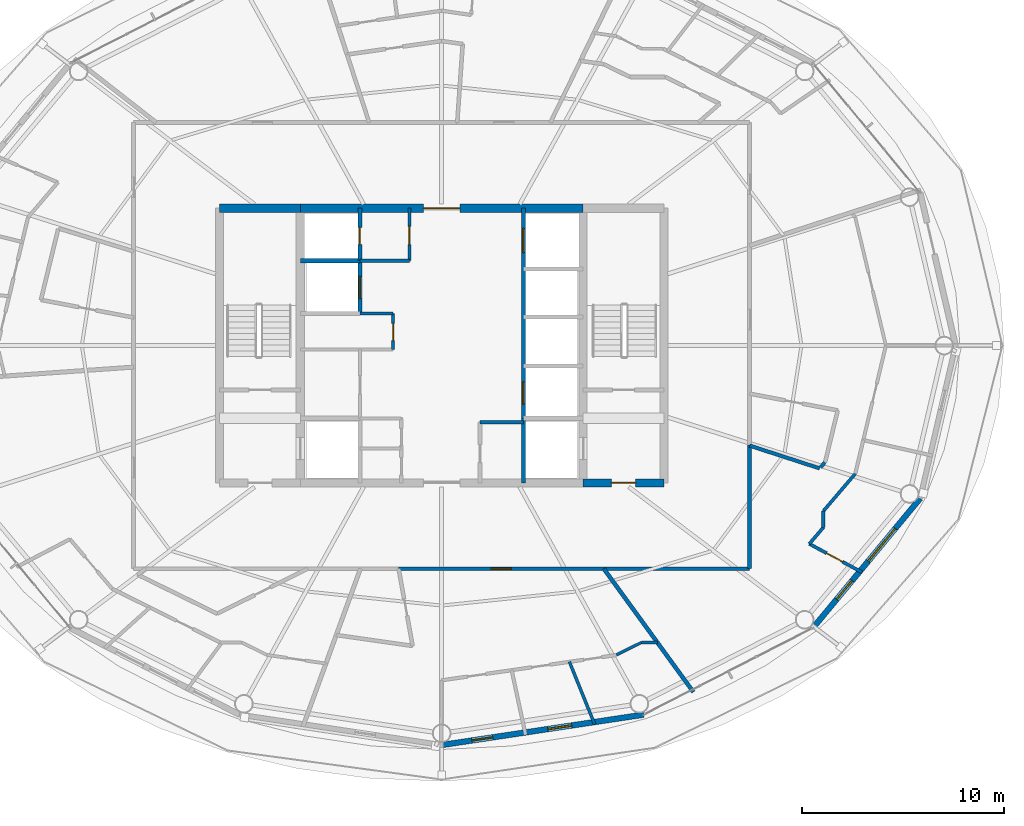
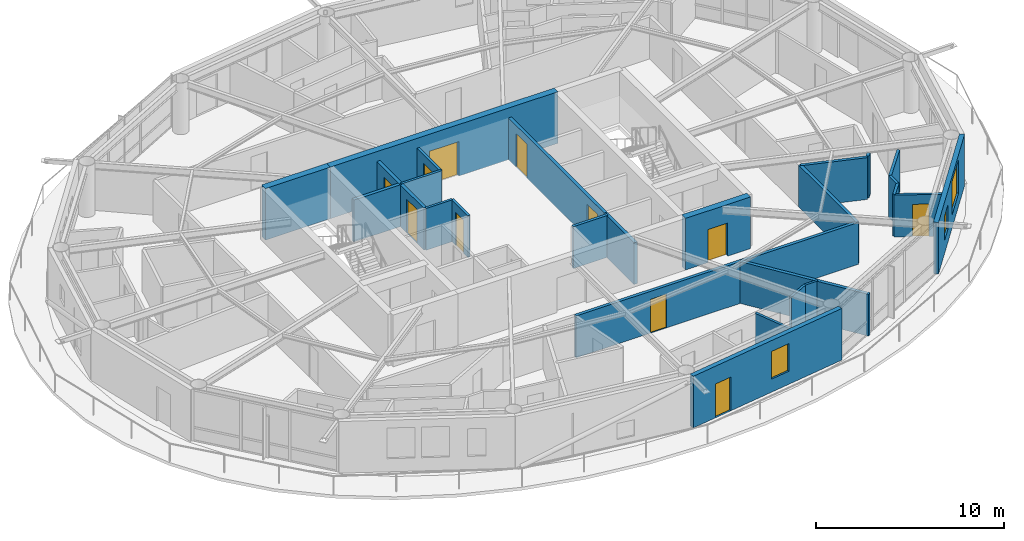
# One storey, part 17 of 23: 27 walls, 11 doors, 3 windows, 14 openings.
"""IFC4 building model written with IfcOpenShell, lengths in metres."""

from ifc_helpers import new_model, si_unit, direction, frame, frame_2d, origin, place, context, subcontext, project, spatial, rectangle, extrude, material, layer, layer_set, type_object, element, fill, save


model = new_model("IFC4")

# Units and contexts
model_context = context("Model", 3, precision=1e-05, world=origin(), true_north=direction((0.0, 1.0)))
body_context = subcontext(model_context, "Body", "Model", "MODEL_VIEW")
ifc_project = project(units=[si_unit("LENGTHUNIT", "METRE"), si_unit("AREAUNIT", "SQUARE_METRE"), si_unit("VOLUMEUNIT", "CUBIC_METRE"), si_unit("PLANEANGLEUNIT", "RADIAN"), si_unit("MASSUNIT", "GRAM", prefix="KILO")], contexts=[model_context])

# Site, building, storey
site_placement = place(None, origin())
site = spatial("IfcSite", under=ifc_project, at=site_placement, CompositionType="ELEMENT")
building_placement = place(site_placement, origin())
building = spatial("IfcBuilding", under=site, at=building_placement, Name="Sarneth Arch Tower", CompositionType="ELEMENT")
storey_placement = place(building_placement, frame((0.0, 0.0, 220.800048828125)))
storey = spatial("IfcBuildingStorey", under=building, at=storey_placement, Name="L56", CompositionType="ELEMENT", Elevation=220.800048828125)

# Wall, opening, door
ifc_material_1 = material(Name="Concrete C50/60", Category="concrete")
ifc_layer_1 = layer(ifc_material_1, 0.39990234375)
ifc_layer_set_1 = layer_set([ifc_layer_1], Name="Concrete C50/60")
wall_type_1 = type_object("IfcWallType", Name="WALL-CORE-400", PredefinedType="SHEAR", material=ifc_layer_set_1)
wall_1_placement = place(storey_placement, frame((55.0, 35.199951171875, 0.0), z_axis=(0.0, 0.0, 1.0), x_axis=(1.0, 0.0, 0.0)))
wall_1 = element("IfcWall", 1, at=wall_1_placement, inside=storey, type_object=wall_type_1, Name="L56 Core shear wall S-E", PredefinedType="SHEAR", context=body_context, shape_type="SweptSolid", body=[
    extrude(rectangle(XDim=4.0, YDim=0.39990234375, at=frame_2d((2.0, 0.0))), origin(), (0.0, 0.0, 1.0), 3.35986328125),
])
opening_1_placement = place(wall_1_placement, frame((1.39990234375, 0.0, 0.0)))
opening_1 = element("IfcOpeningElement", 2, at=opening_1_placement, cuts=wall_1, Name="Opening FD-02", PredefinedType="OPENING", context=body_context, shape_type="SweptSolid", body=[
    extrude(rectangle(XDim=1.199951171875, YDim=2.14990234375, at=frame_2d((0.60009765625, 1.074951171875))), frame((0.0, 0.2099609375, 0.0), z_axis=(0.0, -1.0, 0.0), x_axis=(1.0, 0.0, 0.0)), (0.0, 0.0, 1.0), 0.419921875),
])
ifc_material_2 = material(Name="Galvanised Steel S275 fire door set", Category="steel")
door_type_1 = type_object("IfcDoorType", Name="DR-FD90-1200", OperationType="SINGLE_SWING_LEFT", PredefinedType="DOOR", material=ifc_material_2)
door_1_placement = place(opening_1_placement, origin())
door_1 = element("IfcDoor", 3, at=door_1_placement, inside=storey, type_object=door_type_1, Name="L56 Firefighting lobby 2 exit door", OperationType="SINGLE_SWING_RIGHT", OverallHeight=2.14990234375, OverallWidth=1.199951171875, PredefinedType="DOOR", context=body_context, shape_type="SweptSolid", body=[
    extrude(rectangle(XDim=1.199951171875, YDim=2.14990234375, at=frame_2d((0.60009765625, 1.074951171875))), frame((0.0, 0.02490234375, 0.0), z_axis=(0.0, -1.0, 0.0), x_axis=(1.0, 0.0, 0.0)), (0.0, 0.0, 1.0), 0.050048828125),
])
fill(opening_1, door_1)

# Wall
wall_2_placement = place(storey_placement, frame((37.0, 48.800048828125, 0.0), z_axis=(0.0, 0.0, 1.0), x_axis=(1.0, 0.0, 0.0)))
element("IfcWall", 4, at=wall_2_placement, inside=storey, type_object=wall_type_1, Name="L56 Core shear wall N-W", PredefinedType="SHEAR", context=body_context, shape_type="SweptSolid", body=[
    extrude(rectangle(XDim=4.0, YDim=0.39990234375, at=frame_2d((2.0, 0.0))), origin(), (0.0, 0.0, 1.0), 3.35986328125),
])

# Wall, opening, door
wall_3_placement = place(storey_placement, frame((41.0, 48.800048828125, 0.0), z_axis=(0.0, 0.0, 1.0), x_axis=(1.0, 0.0, 0.0)))
wall_3 = element("IfcWall", 5, at=wall_3_placement, inside=storey, type_object=wall_type_1, Name="L56 Core shear wall N-M", PredefinedType="SHEAR", context=body_context, shape_type="SweptSolid", body=[
    extrude(rectangle(XDim=14.0, YDim=0.39990234375, at=frame_2d((7.0, 0.0))), origin(), (0.0, 0.0, 1.0), 3.35986328125),
])
opening_2_placement = place(wall_3_placement, frame((6.10009765625, 0.0, 0.0)))
opening_2 = element("IfcOpeningElement", 6, at=opening_2_placement, cuts=wall_3, Name="Opening FD-01", PredefinedType="OPENING", context=body_context, shape_type="SweptSolid", body=[
    extrude(rectangle(XDim=1.800048828125, YDim=2.25, at=frame_2d((0.89990234375, 1.125))), frame((0.0, 0.2099609375, 0.0), z_axis=(0.0, -1.0, 0.0), x_axis=(1.0, 0.0, 0.0)), (0.0, 0.0, 1.0), 0.419921875),
])
ifc_material_3 = material(Name="Galvanised Steel S275 fire door set", Category="steel")
door_type_2 = type_object("IfcDoorType", Name="DR-FD90-1800", OperationType="DOUBLE_DOOR_SINGLE_SWING", PredefinedType="DOOR", material=ifc_material_3)
door_2_placement = place(opening_2_placement, origin())
door_2 = element("IfcDoor", 7, at=door_2_placement, inside=storey, type_object=door_type_2, Name="L56 Central lift lobby north door", OperationType="DOUBLE_DOOR_SINGLE_SWING", OverallHeight=2.25, OverallWidth=1.800048828125, PredefinedType="DOOR", context=body_context, shape_type="SweptSolid", body=[
    extrude(rectangle(XDim=1.800048828125, YDim=2.25, at=frame_2d((0.89990234375, 1.125))), frame((0.0, 0.02490234375, 0.0), z_axis=(0.0, -1.0, 0.0), x_axis=(1.0, 0.0, 0.0)), (0.0, 0.0, 1.0), 0.050048828125),
])
fill(opening_2, door_2)

ifc_material_4 = material(Name="Double steel-stud corridor fire wall", Category="steel")
ifc_layer_2 = layer(ifc_material_4, 0.18994140625)
ifc_layer_set_2 = layer_set([ifc_layer_2], Name="Double steel-stud corridor fire wall")
wall_type_2 = type_object("IfcWallType", Name="WALL-CORR-190", PredefinedType="PARTITIONING", material=ifc_layer_set_2)
wall_4_placement = place(storey_placement, frame((45.870361328125, 30.949951171875, 0.0), z_axis=(0.0, 0.0, 1.0), x_axis=(1.0, 0.0, 0.0)))
wall_4 = element("IfcWall", 8, at=wall_4_placement, inside=storey, type_object=wall_type_2, Name="L56 Interior partition W-L56-TP-015", PredefinedType="PARTITIONING", context=body_context, shape_type="SweptSolid", body=[
    extrude(rectangle(XDim=17.379638671875, YDim=0.18994140625, at=frame_2d((8.68994140625, 0.0))), origin(), (0.0, 0.0, 1.0), 2.719970703125),
])
opening_3_placement = place(wall_4_placement, frame((4.5791015625, 0.0, 0.0)))
opening_3 = element("IfcOpeningElement", 9, at=opening_3_placement, cuts=wall_4, Name="Opening FD-08", PredefinedType="OPENING", context=body_context, shape_type="SweptSolid", body=[
    extrude(rectangle(XDim=1.0, YDim=2.199951171875, at=frame_2d((0.5, 1.10009765625))), frame((0.0, 0.10498046875, 0.0), z_axis=(0.0, -1.0, 0.0), x_axis=(1.0, 0.0, 0.0)), (0.0, 0.0, 1.0), 0.2099609375),
])
ifc_material_5 = material(Name="Hardwood timber acoustic fire door", Category="wood")
door_type_3 = type_object("IfcDoorType", Name="DR-FD60-1000", OperationType="SINGLE_SWING_LEFT", PredefinedType="DOOR", material=ifc_material_5)
door_3_placement = place(opening_3_placement, origin())
door_3 = element("IfcDoor", 10, at=door_3_placement, inside=storey, type_object=door_type_3, Name="L56 Interior door DR-L56-U6-ENT", OperationType="SINGLE_SWING_LEFT", OverallHeight=2.199951171875, OverallWidth=1.0, PredefinedType="DOOR", context=body_context, shape_type="SweptSolid", body=[
    extrude(rectangle(XDim=1.0, YDim=2.199951171875, at=frame_2d((0.5, 1.10009765625))), frame((0.0, 0.02490234375, 0.0), z_axis=(0.0, -1.0, 0.0), x_axis=(1.0, 0.0, 0.0)), (0.0, 0.0, 1.0), 0.050048828125),
])
fill(opening_3, door_3)

# Wall
wall_5_placement = place(storey_placement, frame((63.25, 37.07861328125, 0.0), z_axis=(0.0, 0.0, 1.0), x_axis=(0.0, -1.0, 0.0)))
element("IfcWall", 11, at=wall_5_placement, inside=storey, type_object=wall_type_2, Name="L56 Interior partition W-L56-TP-017", PredefinedType="PARTITIONING", context=body_context, shape_type="SweptSolid", body=[
    extrude(rectangle(XDim=6.128662109375, YDim=0.18994140625, at=frame_2d((3.064453125, 0.0))), origin(), (0.0, 0.0, 1.0), 2.719970703125),
])

# Wall, openings, door, window
ifc_material_6 = material(Name="Extruded terracotta rainscreen on Concrete C40/50 backing", Category="masonry")
ifc_layer_3 = layer(ifc_material_6, 0.280029296875)
ifc_layer_set_3 = layer_set([ifc_layer_3], Name="Extruded terracotta rainscreen on Concrete C40/50 backing")
wall_type_3 = type_object("IfcWallType", Name="WALL-EXT-TERRA-280", PredefinedType="SOLIDWALL", material=ifc_layer_set_3)
wall_6_placement = place(storey_placement, frame((48.0, 22.219970703125, 0.0), z_axis=(0.0, 0.0, 1.0), x_axis=(0.988882522213, 0.148698881169, 0.0)))
wall_6 = element("IfcWall", 12, at=wall_6_placement, inside=storey, type_object=wall_type_3, Name="L56 Terracotta perimeter wall 13", PredefinedType="SOLIDWALL", context=body_context, shape_type="SweptSolid", body=[
    extrude(rectangle(XDim=10.125244140625, YDim=0.280029296875, at=frame_2d((5.0625, 0.0))), origin(), (0.0, 0.0, 1.0), 3.35986328125),
])
opening_4_placement = place(wall_6_placement, frame((1.51611328125, 0.0, 0.0)))
opening_4 = element("IfcOpeningElement", 13, at=opening_4_placement, cuts=wall_6, Name="Opening BD-4", PredefinedType="OPENING", context=body_context, shape_type="SweptSolid", body=[
    extrude(rectangle(XDim=1.050048828125, YDim=2.199951171875, at=frame_2d((0.52490234375, 1.10009765625))), frame((0.0, 0.14990234375, 0.0), z_axis=(0.0, -1.0, 0.0), x_axis=(1.0, 0.0, 0.0)), (0.0, 0.0, 1.0), 0.300048828125),
])
opening_5_placement = place(wall_6_placement, frame((5.316162109375, 0.0, 0.85009765625)))
opening_5 = element("IfcOpeningElement", 14, at=opening_5_placement, cuts=wall_6, Name="Opening W-09", PredefinedType="OPENING", context=body_context, shape_type="SweptSolid", body=[
    extrude(rectangle(XDim=1.199951171875, YDim=1.800048828125, at=frame_2d((0.60009765625, 0.89990234375))), frame((0.0, 0.14990234375, 0.0), z_axis=(0.0, -1.0, 0.0), x_axis=(1.0, 0.0, 0.0)), (0.0, 0.0, 1.0), 0.300048828125),
])
ifc_material_7 = material(Name="Thermally broken Aluminium 6063-T6 and laminated safety glass", Category="aluminium")
door_type_4 = type_object("IfcDoorType", Name="DR-BALC-GLZ-1050", OperationType="SINGLE_SWING_RIGHT", PredefinedType="DOOR", material=ifc_material_7)
door_4_placement = place(opening_4_placement, origin())
door_4 = element("IfcDoor", 15, at=door_4_placement, inside=storey, type_object=door_type_4, Name="L56 Balcony glazed door 13", OperationType="SINGLE_SWING_RIGHT", OverallHeight=2.199951171875, OverallWidth=1.050048828125, PredefinedType="DOOR", context=body_context, shape_type="SweptSolid", body=[
    extrude(rectangle(XDim=1.050048828125, YDim=2.199951171875, at=frame_2d((0.52490234375, 1.10009765625))), frame((0.0, 0.02490234375, 0.0), z_axis=(0.0, -1.0, 0.0), x_axis=(1.0, 0.0, 0.0)), (0.0, 0.0, 1.0), 0.050048828125),
])
fill(opening_4, door_4)
ifc_material_8 = material(Name="Thermally broken Aluminium 6063-T6 and low-e laminated IGU", Category="aluminium")
window_type_1 = type_object("IfcWindowType", Name="WIN-TWR-1200x1800", PartitioningType="SINGLE_PANEL", PredefinedType="WINDOW", material=ifc_material_8)
window_1_placement = place(opening_5_placement, origin())
window_1 = element("IfcWindow", 16, at=window_1_placement, inside=storey, type_object=window_type_1, Name="L56 Exterior window 13A", OverallHeight=1.800048828125, OverallWidth=1.199951171875, PartitioningType="SINGLE_PANEL", PredefinedType="WINDOW", context=body_context, shape_type="SweptSolid", body=[
    extrude(rectangle(XDim=1.199951171875, YDim=1.800048828125, at=frame_2d((0.60009765625, 0.89990234375))), frame((0.0, 0.030029296875, 0.0), z_axis=(0.0, -1.0, 0.0), x_axis=(1.0, 0.0, 0.0)), (0.0, 0.0, 1.0), 0.06005859375),
])
fill(opening_5, window_1)

# Wall, openings, windows
wall_7_placement = place(storey_placement, frame((66.382568359375, 28.013427734375, 0.0), z_axis=(0.0, 0.0, 1.0), x_axis=(0.63761509934, 0.770355103243, 0.0)))
wall_7 = element("IfcWall", 17, at=wall_7_placement, inside=storey, type_object=wall_type_3, Name="L56 Terracotta perimeter wall 15", PredefinedType="SOLIDWALL", context=body_context, shape_type="SweptSolid", body=[
    extrude(rectangle(XDim=8.329833984375, YDim=0.280029296875, at=frame_2d((4.1650390625, 0.0))), origin(), (0.0, 0.0, 1.0), 3.35986328125),
])
opening_6_placement = place(wall_7_placement, frame((1.842041015625, 0.0, 0.85009765625)))
opening_6 = element("IfcOpeningElement", 18, at=opening_6_placement, cuts=wall_7, Name="Opening W-10", PredefinedType="OPENING", context=body_context, shape_type="SweptSolid", body=[
    extrude(rectangle(XDim=1.199951171875, YDim=1.60009765625, at=frame_2d((0.60009765625, 0.800048828125))), frame((0.0, 0.14990234375, 0.0), z_axis=(0.0, -1.0, 0.0), x_axis=(1.0, 0.0, 0.0)), (0.0, 0.0, 1.0), 0.300048828125),
])
opening_7_placement = place(wall_7_placement, frame((4.297119140625, 0.0, 0.85009765625)))
opening_7 = element("IfcOpeningElement", 19, at=opening_7_placement, cuts=wall_7, Name="Opening W-03", PredefinedType="OPENING", context=body_context, shape_type="SweptSolid", body=[
    extrude(rectangle(XDim=2.10009765625, YDim=2.199951171875, at=frame_2d((1.050048828125, 1.10009765625))), frame((0.0, 0.14990234375, 0.0), z_axis=(0.0, -1.0, 0.0), x_axis=(1.0, 0.0, 0.0)), (0.0, 0.0, 1.0), 0.300048828125),
])
ifc_material_9 = material(Name="Thermally broken Aluminium 6063-T6 and low-e laminated IGU", Category="aluminium")
window_type_2 = type_object("IfcWindowType", Name="WIN-TWR-1200x1600", PartitioningType="SINGLE_PANEL", PredefinedType="WINDOW", material=ifc_material_9)
window_2_placement = place(opening_6_placement, origin())
window_2 = element("IfcWindow", 20, at=window_2_placement, inside=storey, type_object=window_type_2, Name="L56 Exterior window 15A", OverallHeight=1.60009765625, OverallWidth=1.199951171875, PartitioningType="SINGLE_PANEL", PredefinedType="WINDOW", context=body_context, shape_type="SweptSolid", body=[
    extrude(rectangle(XDim=1.199951171875, YDim=1.60009765625, at=frame_2d((0.60009765625, 0.800048828125))), frame((0.0, 0.030029296875, 0.0), z_axis=(0.0, -1.0, 0.0), x_axis=(1.0, 0.0, 0.0)), (0.0, 0.0, 1.0), 0.06005859375),
])
fill(opening_6, window_2)
ifc_material_10 = material(Name="Thermally broken Aluminium 6063-T6 and low-e laminated IGU", Category="aluminium")
window_type_3 = type_object("IfcWindowType", Name="WIN-TWR-2100x2200", PartitioningType="DOUBLE_PANEL_VERTICAL", PredefinedType="WINDOW", material=ifc_material_10)
window_3_placement = place(opening_7_placement, origin())
window_3 = element("IfcWindow", 21, at=window_3_placement, inside=storey, type_object=window_type_3, Name="L56 Exterior window 15B", OverallHeight=2.199951171875, OverallWidth=2.10009765625, PartitioningType="SINGLE_PANEL", PredefinedType="WINDOW", context=body_context, shape_type="SweptSolid", body=[
    extrude(rectangle(XDim=2.10009765625, YDim=2.199951171875, at=frame_2d((1.050048828125, 1.10009765625))), frame((0.0, 0.030029296875, 0.0), z_axis=(0.0, -1.0, 0.0), x_axis=(1.0, 0.0, 0.0)), (0.0, 0.0, 1.0), 0.06005859375),
])
fill(opening_7, window_3)

# Walls
ifc_material_11 = material(Name="Apartment internal stud partition", Category="gypsum")
ifc_layer_4 = layer(ifc_material_11, 0.139892578125)
ifc_layer_set_4 = layer_set([ifc_layer_4], Name="Apartment internal stud partition")
wall_type_4 = type_object("IfcWallType", Name="WALL-PART-140", PredefinedType="PARTITIONING", material=ifc_layer_set_4)
wall_8_placement = place(storey_placement, frame((57.898681640625, 27.300048828125, 0.0), z_axis=(0.0, 0.0, 1.0), x_axis=(-0.895584310315, -0.444891833053, 0.0)))
element("IfcWall", 22, at=wall_8_placement, inside=storey, type_object=wall_type_4, Name="L56 Interior partition W-L56-TP-088", PredefinedType="PARTITIONING", context=body_context, shape_type="SweptSolid", body=[
    extrude(rectangle(XDim=1.388916015625, YDim=0.139892578125, at=frame_2d((0.6943359375, 0.0))), origin(), (0.0, 0.0, 1.0), 2.719970703125),
])
wall_9_placement = place(storey_placement, frame((58.68017578125, 27.300048828125, 0.0), z_axis=(0.0, 0.0, 1.0), x_axis=(-1.0, 0.0, 0.0)))
element("IfcWall", 23, at=wall_9_placement, inside=storey, type_object=wall_type_4, Name="L56 Interior partition W-L56-TP-087", PredefinedType="PARTITIONING", context=body_context, shape_type="SweptSolid", body=[
    extrude(rectangle(XDim=0.781494140625, YDim=0.139892578125, at=frame_2d((0.390625, 0.0))), origin(), (0.0, 0.0, 1.0), 2.719970703125),
])
ifc_material_12 = material(Name="Acoustic gypsum stud partition", Category="gypsum")
ifc_layer_5 = layer(ifc_material_12, 0.14990234375)
ifc_layer_set_5 = layer_set([ifc_layer_5], Name="Acoustic gypsum stud partition")
wall_type_5 = type_object("IfcWallType", Name="WALL-PART-150", PredefinedType="PARTITIONING", material=ifc_layer_set_5)
wall_10_placement = place(storey_placement, frame((43.949951171875, 43.580078125, 0.0), z_axis=(0.0, 0.0, 1.0), x_axis=(1.0, 0.0, 0.0)))
element("IfcWall", 24, at=wall_10_placement, inside=storey, type_object=wall_type_5, Name="L56 Interior partition W-L56-RECPL-N2", PredefinedType="PARTITIONING", context=body_context, shape_type="SweptSolid", body=[
    extrude(rectangle(XDim=1.650146484375, YDim=0.14990234375, at=frame_2d((0.8251953125, 0.0))), origin(), (0.0, 0.0, 1.0), 2.719970703125),
])

# Wall, opening, door
wall_11_placement = place(storey_placement, frame((45.60009765625, 41.800048828125, 0.0), z_axis=(0.0, 0.0, 1.0), x_axis=(0.0, 1.0, 0.0)))
wall_11 = element("IfcWall", 25, at=wall_11_placement, inside=storey, type_object=wall_type_5, Name="L56 Interior partition W-L56-RECPL-E2", PredefinedType="PARTITIONING", context=body_context, shape_type="SweptSolid", body=[
    extrude(rectangle(XDim=1.780029296875, YDim=0.14990234375, at=frame_2d((0.89013671875, 0.0))), origin(), (0.0, 0.0, 1.0), 2.719970703125),
])
opening_8_placement = place(wall_11_placement, frame((0.449951171875, 0.0, 0.0)))
opening_8 = element("IfcOpeningElement", 26, at=opening_8_placement, cuts=wall_11, Name="Opening FD-11", PredefinedType="OPENING", context=body_context, shape_type="SweptSolid", body=[
    extrude(rectangle(XDim=0.85009765625, YDim=2.14990234375, at=frame_2d((0.425048828125, 1.074951171875))), frame((0.0, 0.0849609375, 0.0), z_axis=(0.0, -1.0, 0.0), x_axis=(1.0, 0.0, 0.0)), (0.0, 0.0, 1.0), 0.169921875),
])
ifc_material_13 = material(Name="Galvanised Steel S275 closet fire door", Category="steel")
door_type_5 = type_object("IfcDoorType", Name="DR-FD60-850", OperationType="SINGLE_SWING_LEFT", PredefinedType="DOOR", material=ifc_material_13)
door_5_placement = place(opening_8_placement, origin())
door_5 = element("IfcDoor", 27, at=door_5_placement, inside=storey, type_object=door_type_5, Name="L56 Interior door DR-L56-RECPL2", OperationType="SINGLE_SWING_RIGHT", OverallHeight=2.14990234375, OverallWidth=0.85009765625, PredefinedType="DOOR", context=body_context, shape_type="SweptSolid", body=[
    extrude(rectangle(XDim=0.85009765625, YDim=2.14990234375, at=frame_2d((0.425048828125, 1.074951171875))), frame((0.0, 0.02490234375, 0.0), z_axis=(0.0, -1.0, 0.0), x_axis=(1.0, 0.0, 0.0)), (0.0, 0.0, 1.0), 0.050048828125),
])
fill(opening_8, door_5)

# Wall
wall_12_placement = place(storey_placement, frame((43.949951171875, 46.199951171875, 0.0), z_axis=(0.0, 0.0, 1.0), x_axis=(1.0, 0.0, 0.0)))
element("IfcWall", 28, at=wall_12_placement, inside=storey, type_object=wall_type_5, Name="L56 Interior partition W-L56-CSUP3-S", PredefinedType="PARTITIONING", context=body_context, shape_type="SweptSolid", body=[
    extrude(rectangle(XDim=2.449951171875, YDim=0.14990234375, at=frame_2d((1.22509765625, 0.0))), origin(), (0.0, 0.0, 1.0), 2.719970703125),
])

# Wall, opening, door
wall_13_placement = place(storey_placement, frame((46.39990234375, 46.199951171875, 0.0), z_axis=(0.0, 0.0, 1.0), x_axis=(0.0, 1.0, 0.0)))
wall_13 = element("IfcWall", 29, at=wall_13_placement, inside=storey, type_object=wall_type_5, Name="L56 Interior partition W-L56-CSUP3-E", PredefinedType="PARTITIONING", context=body_context, shape_type="SweptSolid", body=[
    extrude(rectangle(XDim=2.60009765625, YDim=0.14990234375, at=frame_2d((1.300048828125, 0.0))), origin(), (0.0, 0.0, 1.0), 2.719970703125),
])
opening_9_placement = place(wall_13_placement, frame((0.800048828125, 0.0, 0.0)))
opening_9 = element("IfcOpeningElement", 30, at=opening_9_placement, cuts=wall_13, Name="Opening FD-10", PredefinedType="OPENING", context=body_context, shape_type="SweptSolid", body=[
    extrude(rectangle(XDim=0.89990234375, YDim=2.14990234375, at=frame_2d((0.449951171875, 1.074951171875))), frame((0.0, 0.0849609375, 0.0), z_axis=(0.0, -1.0, 0.0), x_axis=(1.0, 0.0, 0.0)), (0.0, 0.0, 1.0), 0.169921875),
])
ifc_material_14 = material(Name="Galvanised Steel S275 riser/service fire door", Category="steel")
door_type_6 = type_object("IfcDoorType", Name="DR-FD60-900", OperationType="SINGLE_SWING_LEFT", PredefinedType="DOOR", material=ifc_material_14)
door_6_placement = place(opening_9_placement, origin())
door_6 = element("IfcDoor", 31, at=door_6_placement, inside=storey, type_object=door_type_6, Name="L56 Interior door DR-L56-CSUP3", OperationType="SINGLE_SWING_LEFT", OverallHeight=2.14990234375, OverallWidth=0.89990234375, PredefinedType="DOOR", context=body_context, shape_type="SweptSolid", body=[
    extrude(rectangle(XDim=0.89990234375, YDim=2.14990234375, at=frame_2d((0.449951171875, 1.074951171875))), frame((0.0, 0.02490234375, 0.0), z_axis=(0.0, -1.0, 0.0), x_axis=(1.0, 0.0, 0.0)), (0.0, 0.0, 1.0), 0.050048828125),
])
fill(opening_9, door_6)

# Wall
wall_14_placement = place(storey_placement, frame((54.325927734375, 26.342529296875, 0.0), z_axis=(0.0, 0.0, 1.0), x_axis=(0.374635643267, -0.927172117136, 0.0)))
element("IfcWall", 32, at=wall_14_placement, inside=storey, type_object=wall_type_5, Name="L56 Interior partition W-L56-TP-092", PredefinedType="PARTITIONING", context=body_context, shape_type="SweptSolid", body=[
    extrude(rectangle(XDim=3.344482421875, YDim=0.14990234375, at=frame_2d((1.67236328125, 0.0))), origin(), (0.0, 0.0, 1.0), 2.719970703125),
])

# Wall, opening, door
ifc_material_15 = material(Name="Kitchen wet service chase wall", Category="gypsum")
ifc_layer_6 = layer(ifc_material_15, 0.159912109375)
ifc_layer_set_6 = layer_set([ifc_layer_6], Name="Kitchen wet service chase wall")
wall_type_6 = type_object("IfcWallType", Name="WALL-PLUMB-160", PredefinedType="PLUMBINGWALL", material=ifc_layer_set_6)
wall_15_placement = place(storey_placement, frame((68.818115234375, 30.771484375, 0.0), z_axis=(0.0, 0.0, 1.0), x_axis=(-0.880124770505, 0.474742444219, 0.0)))
wall_15 = element("IfcWall", 33, at=wall_15_placement, inside=storey, type_object=wall_type_6, Name="L56 Interior partition W-L56-TP-094", PredefinedType="PLUMBINGWALL", context=body_context, shape_type="SweptSolid", body=[
    extrude(rectangle(XDim=2.96728515625, YDim=0.159912109375, at=frame_2d((1.483642578125, 0.0))), origin(), (0.0, 0.0, 1.0), 2.719970703125),
])
opening_10_placement = place(wall_15_placement, frame((1.093505859375, 0.0, 0.0)))
opening_10 = element("IfcOpeningElement", 34, at=opening_10_placement, cuts=wall_15, Name="Opening ID-01", PredefinedType="OPENING", context=body_context, shape_type="SweptSolid", body=[
    extrude(rectangle(XDim=0.89990234375, YDim=2.10009765625, at=frame_2d((0.449951171875, 1.050048828125))), frame((0.0, 0.08984375, 0.0), z_axis=(0.0, -1.0, 0.0), x_axis=(1.0, 0.0, 0.0)), (0.0, 0.0, 1.0), 0.179931640625),
])
ifc_material_16 = material(Name="Engineered hardwood flush door", Category="wood")
door_type_7 = type_object("IfcDoorType", Name="DR-INT-900", OperationType="SINGLE_SWING_LEFT", PredefinedType="DOOR", material=ifc_material_16)
door_7_placement = place(opening_10_placement, origin())
door_7 = element("IfcDoor", 35, at=door_7_placement, inside=storey, type_object=door_type_7, Name="L56 Interior door DR-L56-U7-KIT", OperationType="SINGLE_SWING_RIGHT", OverallHeight=2.10009765625, OverallWidth=0.89990234375, PredefinedType="DOOR", context=body_context, shape_type="SweptSolid", body=[
    extrude(rectangle(XDim=0.89990234375, YDim=2.10009765625, at=frame_2d((0.449951171875, 1.050048828125))), frame((0.0, 0.02490234375, 0.0), z_axis=(0.0, -1.0, 0.0), x_axis=(1.0, 0.0, 0.0)), (0.0, 0.0, 1.0), 0.050048828125),
])
fill(opening_10, door_7)

# Walls
wall_16_placement = place(storey_placement, frame((66.89990234375, 33.802978515625, 0.0), z_axis=(0.0, 0.0, 1.0), x_axis=(0.649270866973, 0.760557257082, 0.0)))
element("IfcWall", 36, at=wall_16_placement, inside=storey, type_object=wall_type_6, Name="L56 Interior partition W-L56-TP-097", PredefinedType="PLUMBINGWALL", context=body_context, shape_type="SweptSolid", body=[
    extrude(rectangle(XDim=2.43505859375, YDim=0.159912109375, at=frame_2d((1.217529296875, 0.0))), origin(), (0.0, 0.0, 1.0), 2.719970703125),
])
wall_17_placement = place(storey_placement, frame((66.20654296875, 32.18017578125, 0.0), z_axis=(0.0, 0.0, 1.0), x_axis=(0.649020528566, 0.760770894225, 0.0)))
element("IfcWall", 37, at=wall_17_placement, inside=storey, type_object=wall_type_6, Name="L56 Interior partition W-L56-TP-095", PredefinedType="PLUMBINGWALL", context=body_context, shape_type="SweptSolid", body=[
    extrude(rectangle(XDim=1.068359375, YDim=0.159912109375, at=frame_2d((0.5341796875, 0.0))), origin(), (0.0, 0.0, 1.0), 2.719970703125),
])
wall_18_placement = place(storey_placement, frame((66.89990234375, 32.992919921875, 0.0), z_axis=(0.0, 0.0, 1.0), x_axis=(0.0, 1.0, 0.0)))
element("IfcWall", 38, at=wall_18_placement, inside=storey, type_object=wall_type_6, Name="L56 Interior partition W-L56-TP-096", PredefinedType="PLUMBINGWALL", context=body_context, shape_type="SweptSolid", body=[
    extrude(rectangle(XDim=0.81005859375, YDim=0.159912109375, at=frame_2d((0.405029296875, 0.0))), origin(), (0.0, 0.0, 1.0), 2.719970703125),
])
ifc_material_17 = material(Name="Moisture-resistant plumbing chase wall", Category="gypsum")
ifc_layer_7 = layer(ifc_material_17, 0.179931640625)
ifc_layer_set_7 = layer_set([ifc_layer_7], Name="Moisture-resistant plumbing chase wall")
wall_type_7 = type_object("IfcWallType", Name="WALL-PLUMB-180", PredefinedType="PLUMBINGWALL", material=ifc_layer_set_7)
wall_19_placement = place(storey_placement, frame((49.89990234375, 38.199951171875, 0.0), z_axis=(0.0, 0.0, 1.0), x_axis=(1.0, 0.0, 0.0)))
element("IfcWall", 39, at=wall_19_placement, inside=storey, type_object=wall_type_7, Name="L56 Interior partition W-L56-AWC-N", PredefinedType="PLUMBINGWALL", context=body_context, shape_type="SweptSolid", body=[
    extrude(rectangle(XDim=2.150146484375, YDim=0.179931640625, at=frame_2d((1.0751953125, 0.0))), origin(), (0.0, 0.0, 1.0), 2.719970703125),
])
wall_20_placement = place(storey_placement, frame((63.25, 37.044921875, 0.0), z_axis=(0.0, 0.0, 1.0), x_axis=(0.951066543841, -0.308986131058, 0.0)))
element("IfcWall", 40, at=wall_20_placement, inside=storey, type_object=wall_type_7, Name="L56 Interior partition W-L56-TP-099", PredefinedType="PLUMBINGWALL", context=body_context, shape_type="SweptSolid", body=[
    extrude(rectangle(XDim=3.645751953125, YDim=0.179931640625, at=frame_2d((1.82275390625, 0.0))), origin(), (0.0, 0.0, 1.0), 2.719970703125),
])
wall_21_placement = place(storey_placement, frame((66.761962890625, 35.9697265625, 0.0), z_axis=(0.0, 0.0, 1.0), x_axis=(0.656312676344, 0.754489013088, 0.0)))
element("IfcWall", 41, at=wall_21_placement, inside=storey, type_object=wall_type_7, Name="L56 Interior partition W-L56-TP-100", PredefinedType="PLUMBINGWALL", context=body_context, shape_type="SweptSolid", body=[
    extrude(rectangle(XDim=0.31591796875, YDim=0.179931640625, at=frame_2d((0.157958984375, 0.0))), origin(), (0.0, 0.0, 1.0), 2.719970703125),
])
ifc_material_18 = material(Name="Aerated concrete blockwork C25/30", Category="masonry")
ifc_layer_8 = layer(ifc_material_18, 0.199951171875)
ifc_layer_set_8 = layer_set([ifc_layer_8], Name="Aerated concrete blockwork C25/30")
wall_type_8 = type_object("IfcWallType", Name="WALL-SHAFT-200", PredefinedType="SOLIDWALL", material=ifc_layer_set_8)
wall_22_placement = place(storey_placement, frame((52.050048828125, 35.199951171875, 0.0), z_axis=(0.0, 0.0, 1.0), x_axis=(0.0, 1.0, 0.0)))
element("IfcWall", 42, at=wall_22_placement, inside=storey, type_object=wall_type_8, Name="L56 Interior partition W-L56-FL2-W", PredefinedType="SOLIDWALL", context=body_context, shape_type="SweptSolid", body=[
    extrude(rectangle(XDim=3.199951171875, YDim=0.199951171875, at=frame_2d((1.60009765625, 0.0))), origin(), (0.0, 0.0, 1.0), 2.719970703125),
])
wall_23_placement = place(storey_placement, frame((41.0, 46.199951171875, 0.0), z_axis=(0.0, 0.0, 1.0), x_axis=(1.0, 0.0, 0.0)))
element("IfcWall", 43, at=wall_23_placement, inside=storey, type_object=wall_type_8, Name="L56 Interior partition W-L56-RISER-S", PredefinedType="SOLIDWALL", context=body_context, shape_type="SweptSolid", body=[
    extrude(rectangle(XDim=2.949951171875, YDim=0.199951171875, at=frame_2d((1.47509765625, 0.0))), origin(), (0.0, 0.0, 1.0), 2.719970703125),
])

# Wall, opening, door
wall_24_placement = place(storey_placement, frame((43.949951171875, 46.199951171875, 0.0), z_axis=(0.0, 0.0, 1.0), x_axis=(0.0, 1.0, 0.0)))
wall_24 = element("IfcWall", 44, at=wall_24_placement, inside=storey, type_object=wall_type_8, Name="L56 Interior partition W-L56-RISER-E", PredefinedType="SOLIDWALL", context=body_context, shape_type="SweptSolid", body=[
    extrude(rectangle(XDim=2.60009765625, YDim=0.199951171875, at=frame_2d((1.300048828125, 0.0))), origin(), (0.0, 0.0, 1.0), 2.719970703125),
])
opening_11_placement = place(wall_24_placement, frame((0.800048828125, 0.0, 0.0)))
opening_11 = element("IfcOpeningElement", 45, at=opening_11_placement, cuts=wall_24, Name="Opening FD-11", PredefinedType="OPENING", context=body_context, shape_type="SweptSolid", body=[
    extrude(rectangle(XDim=0.85009765625, YDim=2.14990234375, at=frame_2d((0.425048828125, 1.074951171875))), frame((0.0, 0.10986328125, 0.0), z_axis=(0.0, -1.0, 0.0), x_axis=(1.0, 0.0, 0.0)), (0.0, 0.0, 1.0), 0.219970703125),
])
door_8_placement = place(opening_11_placement, origin())
door_8 = element("IfcDoor", 46, at=door_8_placement, inside=storey, type_object=door_type_5, Name="L56 Lift landing door DR-L56-RISER", OperationType="SINGLE_SWING_LEFT", OverallHeight=2.14990234375, OverallWidth=0.85009765625, PredefinedType="DOOR", context=body_context, shape_type="SweptSolid", body=[
    extrude(rectangle(XDim=0.85009765625, YDim=2.14990234375, at=frame_2d((0.425048828125, 1.074951171875))), frame((0.0, 0.02490234375, 0.0), z_axis=(0.0, -1.0, 0.0), x_axis=(1.0, 0.0, 0.0)), (0.0, 0.0, 1.0), 0.050048828125),
])
fill(opening_11, door_8)

wall_25_placement = place(storey_placement, frame((43.949951171875, 43.580078125, 0.0), z_axis=(0.0, 0.0, 1.0), x_axis=(0.0, 1.0, 0.0)))
wall_25 = element("IfcWall", 47, at=wall_25_placement, inside=storey, type_object=wall_type_8, Name="L56 Interior partition W-L56-PM1-FRONT", PredefinedType="SOLIDWALL", context=body_context, shape_type="SweptSolid", body=[
    extrude(rectangle(XDim=2.619873046875, YDim=0.199951171875, at=frame_2d((1.31005859375, 0.0))), origin(), (0.0, 0.0, 1.0), 2.719970703125),
])
opening_12_placement = place(wall_25_placement, frame((0.75, 0.0, 0.0)))
opening_12 = element("IfcOpeningElement", 48, at=opening_12_placement, cuts=wall_25, Name="Opening LD-1", PredefinedType="OPENING", context=body_context, shape_type="SweptSolid", body=[
    extrude(rectangle(XDim=1.10009765625, YDim=2.199951171875, at=frame_2d((0.550048828125, 1.10009765625))), frame((0.0, 0.10986328125, 0.0), z_axis=(0.0, -1.0, 0.0), x_axis=(1.0, 0.0, 0.0)), (0.0, 0.0, 1.0), 0.219970703125),
])
ifc_material_19 = material(Name="Brushed Stainless Steel 304 lift landing door", Category="steel")
door_type_8 = type_object("IfcDoorType", Name="DR-LIFT-SLIDE-1100", OperationType="SLIDING_TO_LEFT", PredefinedType="DOOR", material=ifc_material_19)
door_9_placement = place(opening_12_placement, origin())
door_9 = element("IfcDoor", 49, at=door_9_placement, inside=storey, type_object=door_type_8, Name="L56 Lift landing door DR-L56-LD-PM1", OperationType="SLIDING_TO_LEFT", OverallHeight=2.199951171875, OverallWidth=1.10009765625, PredefinedType="DOOR", context=body_context, shape_type="SweptSolid", body=[
    extrude(rectangle(XDim=1.10009765625, YDim=2.199951171875, at=frame_2d((0.550048828125, 1.10009765625))), frame((0.0, 0.02490234375, 0.0), z_axis=(0.0, -1.0, 0.0), x_axis=(1.0, 0.0, 0.0)), (0.0, 0.0, 1.0), 0.050048828125),
])
fill(opening_12, door_9)

# Wall, openings, doors
wall_26_placement = place(storey_placement, frame((52.050048828125, 38.39990234375, 0.0), z_axis=(0.0, 0.0, 1.0), x_axis=(0.0, 1.0, 0.0)))
wall_26 = element("IfcWall", 50, at=wall_26_placement, inside=storey, type_object=wall_type_8, Name="L56 Interior partition W-L56-EASTBANK-FRONT", PredefinedType="SOLIDWALL", context=body_context, shape_type="SweptSolid", body=[
    extrude(rectangle(XDim=10.400146484375, YDim=0.199951171875, at=frame_2d((5.2001953125, 0.0))), origin(), (0.0, 0.0, 1.0), 2.719970703125),
])
opening_13_placement = place(wall_26_placement, frame((0.699951171875, 0.0, 0.0)))
opening_13 = element("IfcOpeningElement", 51, at=opening_13_placement, cuts=wall_26, Name="Opening LD-1", PredefinedType="OPENING", context=body_context, shape_type="SweptSolid", body=[
    extrude(rectangle(XDim=1.10009765625, YDim=2.199951171875, at=frame_2d((0.550048828125, 1.10009765625))), frame((0.0, 0.10986328125, 0.0), z_axis=(0.0, -1.0, 0.0), x_axis=(1.0, 0.0, 0.0)), (0.0, 0.0, 1.0), 0.219970703125),
])
opening_14_placement = place(wall_26_placement, frame((8.199951171875, 0.0, 0.0)))
opening_14 = element("IfcOpeningElement", 52, at=opening_14_placement, cuts=wall_26, Name="Opening LD-2", PredefinedType="OPENING", context=body_context, shape_type="SweptSolid", body=[
    extrude(rectangle(XDim=1.199951171875, YDim=2.199951171875, at=frame_2d((0.60009765625, 1.10009765625))), frame((0.0, 0.10986328125, 0.0), z_axis=(0.0, -1.0, 0.0), x_axis=(1.0, 0.0, 0.0)), (0.0, 0.0, 1.0), 0.219970703125),
])
door_10_placement = place(opening_13_placement, origin())
door_10 = element("IfcDoor", 53, at=door_10_placement, inside=storey, type_object=door_type_8, Name="L56 Lift landing door DR-L56-LD-PM2", OperationType="SLIDING_TO_LEFT", OverallHeight=2.199951171875, OverallWidth=1.10009765625, PredefinedType="DOOR", context=body_context, shape_type="SweptSolid", body=[
    extrude(rectangle(XDim=1.10009765625, YDim=2.199951171875, at=frame_2d((0.550048828125, 1.10009765625))), frame((0.0, 0.02490234375, 0.0), z_axis=(0.0, -1.0, 0.0), x_axis=(1.0, 0.0, 0.0)), (0.0, 0.0, 1.0), 0.050048828125),
])
fill(opening_13, door_10)
ifc_material_20 = material(Name="Brushed Stainless Steel 304 service lift door", Category="steel")
door_type_9 = type_object("IfcDoorType", Name="DR-LIFT-SLIDE-1200", OperationType="SLIDING_TO_RIGHT", PredefinedType="DOOR", material=ifc_material_20)
door_11_placement = place(opening_14_placement, origin())
door_11 = element("IfcDoor", 54, at=door_11_placement, inside=storey, type_object=door_type_9, Name="L56 Lift landing door DR-L56-LD-SL1", OperationType="SLIDING_TO_RIGHT", OverallHeight=2.199951171875, OverallWidth=1.199951171875, PredefinedType="DOOR", context=body_context, shape_type="SweptSolid", body=[
    extrude(rectangle(XDim=1.199951171875, YDim=2.199951171875, at=frame_2d((0.60009765625, 1.10009765625))), frame((0.0, 0.02490234375, 0.0), z_axis=(0.0, -1.0, 0.0), x_axis=(1.0, 0.0, 0.0)), (0.0, 0.0, 1.0), 0.050048828125),
])
fill(opening_14, door_11)

# Wall
ifc_material_21 = material(Name="Double steel-stud acoustic drywall", Category="steel")
ifc_layer_9 = layer(ifc_material_21, 0.199951171875)
ifc_layer_set_9 = layer_set([ifc_layer_9], Name="Double steel-stud acoustic drywall")
wall_type_9 = type_object("IfcWallType", Name="WALL-UNIT-200", PredefinedType="PARTITIONING", material=ifc_layer_set_9)
wall_27_placement = place(storey_placement, frame((56.0283203125, 30.949951171875, 0.0), z_axis=(0.0, 0.0, 1.0), x_axis=(0.587792517605, -0.809011715767, 0.0)))
element("IfcWall", 55, at=wall_27_placement, inside=storey, type_object=wall_type_9, Name="L56 Interior partition W-L56-TP-090", PredefinedType="PARTITIONING", context=body_context, shape_type="SweptSolid", body=[
    extrude(rectangle(XDim=7.543212890625, YDim=0.199951171875, at=frame_2d((3.771484375, 0.0))), origin(), (0.0, 0.0, 1.0), 2.719970703125),
])

save(model, "model.ifc")
